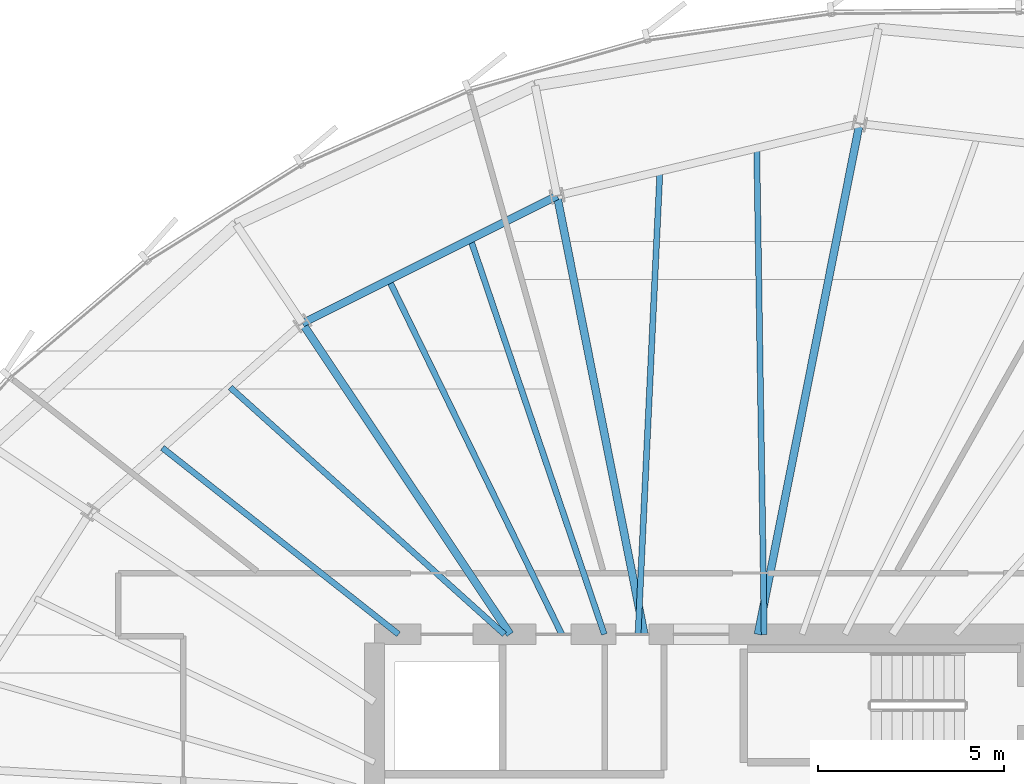
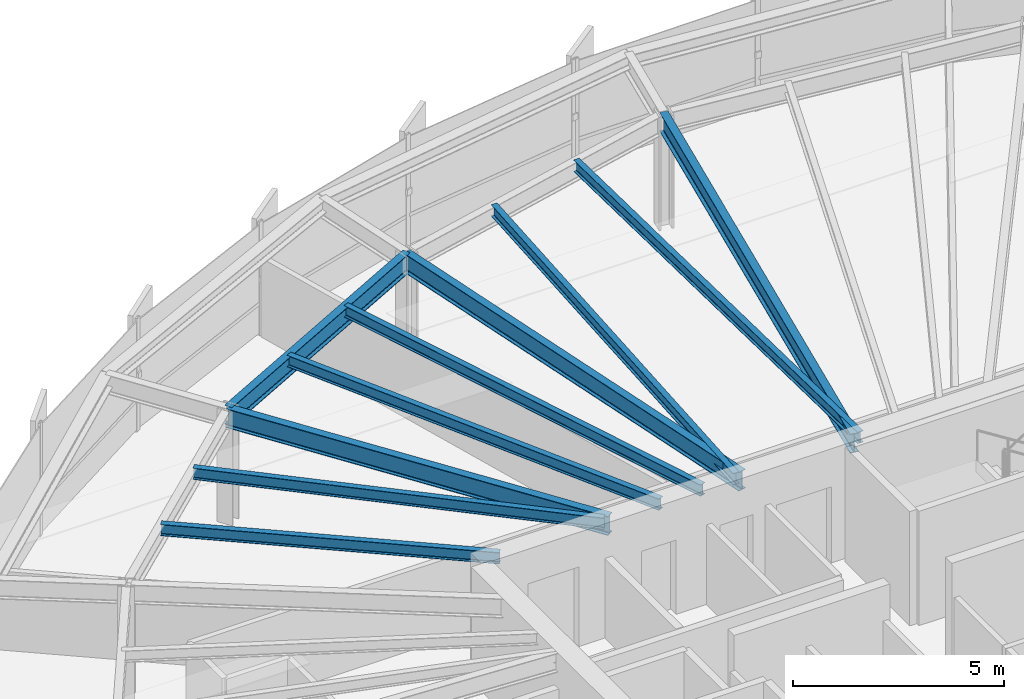
# One storey, part 20 of 35: 10 beams.
"""IFC4 building model written with IfcOpenShell, lengths in metres."""

from ifc_helpers import new_model, si_unit, direction, frame, origin, origin_2d, place, context, subcontext, project, spatial, i_section, extrude, source, transform, mapped, material, material_profile, profile_set, type_object, element, save


model = new_model("IFC4")

# Units and contexts
model_context = context("Model", 3, precision=1e-05, world=origin(), true_north=direction((0.0, 1.0)))
body_context = subcontext(model_context, "Body", "Model", "MODEL_VIEW")
ifc_project = project(units=[si_unit("LENGTHUNIT", "METRE"), si_unit("AREAUNIT", "SQUARE_METRE"), si_unit("VOLUMEUNIT", "CUBIC_METRE"), si_unit("PLANEANGLEUNIT", "RADIAN"), si_unit("MASSUNIT", "GRAM", prefix="KILO"), si_unit("THERMODYNAMICTEMPERATUREUNIT", "KELVIN")], contexts=[model_context])

# Site, building, storey
site_placement = place(None, origin())
site = spatial("IfcSite", under=ifc_project, at=site_placement, CompositionType="ELEMENT")
building_placement = place(site_placement, origin())
building = spatial("IfcBuilding", under=site, at=building_placement, Name="Kethvar Cultural Tower", CompositionType="ELEMENT")
storey_placement = place(building_placement, frame((0.0, 0.0, 146.550048828125)))
storey = spatial("IfcBuildingStorey", under=building, at=storey_placement, Name="L37", CompositionType="ELEMENT", Elevation=146.550048828125)

# Beams
ifc_material = material(Name="Steel S355J2", Category="steel")
ifc_material_profile_1 = material_profile(ifc_material, i_section(OverallWidth=0.2099609375, OverallDepth=0.550048828125, WebThickness=0.010986328125, FlangeThickness=0.01708984375, FilletRadius=0.02392578125, at=origin_2d()), Name="Steel S355J2 — IPE550")
ifc_profile_set_1 = profile_set([ifc_material_profile_1], Name="Steel S355J2 — IPE550")
beam_type_1 = type_object("IfcBeamType", Name="BM-IPE550", PredefinedType="BEAM", material=ifc_profile_set_1)
shared_shape_1 = source(origin(), body_context, "Body", "SweptSolid", [
    extrude(i_section(OverallWidth=0.2099609375, OverallDepth=0.550048828125, WebThickness=0.010986328125, FlangeThickness=0.01708984375, FilletRadius=0.02392578125, at=origin_2d()), origin(), (0.0, 0.0, 1.0), 14.02880859375),
])
beam_1_placement = place(storey_placement, frame((48.33154296875, 35.5, 3.02294921875), z_axis=(0.195101986683, 0.980782960085, 0.0), x_axis=(-0.980782960085, 0.195101986683, 0.0)))
element("IfcBeam", 1, at=beam_1_placement, inside=storey, type_object=beam_type_1, Name="L37 Primary Radial Beam RB-04", PredefinedType="BEAM", context=body_context, shape_type="MappedRepresentation", body=[
    mapped(shared_shape_1, transform((0.0, 0.0, 0.0), scale=1.0)),
])
shared_shape_2 = source(origin(), body_context, "Body", "SweptSolid", [
    extrude(i_section(OverallWidth=0.2099609375, OverallDepth=0.550048828125, WebThickness=0.010986328125, FlangeThickness=0.01708984375, FilletRadius=0.02392578125, at=origin_2d()), origin(), (0.0, 0.0, 1.0), 12.042724609375),
])
beam_2_placement = place(storey_placement, frame((45.268310546875, 35.5, 3.02294921875), z_axis=(-0.195086784047, 0.980785984142, 0.0), x_axis=(-0.980785984142, -0.195086784047, 0.0)))
element("IfcBeam", 2, at=beam_2_placement, inside=storey, type_object=beam_type_1, Name="L37 Primary Radial Beam RB-05", PredefinedType="BEAM", context=body_context, shape_type="MappedRepresentation", body=[
    mapped(shared_shape_2, transform((0.0, 0.0, 0.0), scale=1.0)),
])
shared_shape_3 = source(origin(), body_context, "Body", "SweptSolid", [
    extrude(i_section(OverallWidth=0.2099609375, OverallDepth=0.550048828125, WebThickness=0.010986328125, FlangeThickness=0.01708984375, FilletRadius=0.02392578125, at=origin_2d()), origin(), (0.0, 0.0, 1.0), 10.0751953125),
])
beam_3_placement = place(storey_placement, frame((41.655029296875, 35.5, 3.02294921875), z_axis=(-0.555566654614, 0.831472003305, 0.0), x_axis=(-0.831472003305, -0.555566654614, 0.0)))
element("IfcBeam", 3, at=beam_3_placement, inside=storey, type_object=beam_type_1, Name="L37 Primary Radial Beam RB-06", PredefinedType="BEAM", context=body_context, shape_type="MappedRepresentation", body=[
    mapped(shared_shape_3, transform((0.0, 0.0, 0.0), scale=1.0)),
])
ifc_material_profile_2 = material_profile(ifc_material, i_section(OverallWidth=0.159912109375, OverallDepth=0.330078125, WebThickness=0.007568359375, FlangeThickness=0.011474609375, FilletRadius=0.01806640625, at=origin_2d()), Name="Steel S355J2 — IPE330")
ifc_profile_set_2 = profile_set([ifc_material_profile_2], Name="Steel S355J2 — IPE330")
beam_type_2 = type_object("IfcBeamType", Name="BM-J330", PredefinedType="JOIST", material=ifc_profile_set_2)
shared_shape_4 = source(origin(), body_context, "Body", "SweptSolid", [
    extrude(i_section(OverallWidth=0.159912109375, OverallDepth=0.330078125, WebThickness=0.007568359375, FlangeThickness=0.011474609375, FilletRadius=0.01806640625, at=origin_2d()), origin(), (0.0, 0.0, 1.0), 13.098388671875),
])
beam_4_placement = place(storey_placement, frame((48.5, 35.5, 3.133056640625), z_axis=(-0.015451599057, 0.999880616917, 0.0), x_axis=(-0.999880616917, -0.015451599057, 0.0)))
element("IfcBeam", 4, at=beam_4_placement, inside=storey, type_object=beam_type_2, Name="L37 Composite Floor Joist J-04A", PredefinedType="JOIST", context=body_context, shape_type="MappedRepresentation", body=[
    mapped(shared_shape_4, transform((0.0, 0.0, 0.0), scale=1.0)),
])
shared_shape_5 = source(origin(), body_context, "Body", "SweptSolid", [
    extrude(i_section(OverallWidth=0.159912109375, OverallDepth=0.330078125, WebThickness=0.007568359375, FlangeThickness=0.011474609375, FilletRadius=0.01806640625, at=origin_2d()), origin(), (0.0, 0.0, 1.0), 12.487548828125),
])
beam_5_placement = place(storey_placement, frame((45.10009765625, 35.5, 3.133056640625), z_axis=(0.047214958818, 0.998884751943, 0.0), x_axis=(-0.998884751943, 0.047214958818, 0.0)))
element("IfcBeam", 5, at=beam_5_placement, inside=storey, type_object=beam_type_2, Name="L37 Composite Floor Joist J-04B", PredefinedType="JOIST", context=body_context, shape_type="MappedRepresentation", body=[
    mapped(shared_shape_5, transform((0.0, 0.0, 0.0), scale=1.0)),
])
shared_shape_6 = source(origin(), body_context, "Body", "SweptSolid", [
    extrude(i_section(OverallWidth=0.2099609375, OverallDepth=0.550048828125, WebThickness=0.010986328125, FlangeThickness=0.01708984375, FilletRadius=0.02392578125, at=origin_2d()), origin(), (0.0, 0.0, 1.0), 7.672607421875),
])
beam_6_placement = place(storey_placement, frame((42.9189453125, 47.311279296875, 3.02294921875), z_axis=(-0.894248932057, -0.447569935892, 0.0), x_axis=(0.447569935892, -0.894248932057, 0.0)))
element("IfcBeam", 6, at=beam_6_placement, inside=storey, type_object=beam_type_1, Name="L37 Column Ring Tie Beam CR-05", PredefinedType="BEAM", context=body_context, shape_type="MappedRepresentation", body=[
    mapped(shared_shape_6, transform((0.0, 0.0, 0.0), scale=1.0)),
])
shared_shape_7 = source(origin(), body_context, "Body", "SweptSolid", [
    extrude(i_section(OverallWidth=0.159912109375, OverallDepth=0.330078125, WebThickness=0.007568359375, FlangeThickness=0.011474609375, FilletRadius=0.01806640625, at=origin_2d()), origin(), (0.0, 0.0, 1.0), 11.23779296875),
])
beam_7_placement = place(storey_placement, frame((44.191650390625, 35.5, 3.133056640625), z_axis=(-0.32083186626, 0.94713616423, 0.0), x_axis=(-0.94713616423, -0.32083186626, 0.0)))
element("IfcBeam", 7, at=beam_7_placement, inside=storey, type_object=beam_type_2, Name="L37 Composite Floor Joist J-05A", PredefinedType="JOIST", context=body_context, shape_type="MappedRepresentation", body=[
    mapped(shared_shape_7, transform((0.0, 0.0, 0.0), scale=1.0)),
])
shared_shape_8 = source(origin(), body_context, "Body", "SweptSolid", [
    extrude(i_section(OverallWidth=0.159912109375, OverallDepth=0.330078125, WebThickness=0.007568359375, FlangeThickness=0.011474609375, FilletRadius=0.01806640625, at=origin_2d()), origin(), (0.0, 0.0, 1.0), 10.619384765625),
])
beam_8_placement = place(storey_placement, frame((43.044921875, 35.5, 3.133056640625), z_axis=(-0.438308125028, 0.898824781331, 0.0), x_axis=(-0.898824781331, -0.438308125028, 0.0)))
element("IfcBeam", 8, at=beam_8_placement, inside=storey, type_object=beam_type_2, Name="L37 Composite Floor Joist J-05B", PredefinedType="JOIST", context=body_context, shape_type="MappedRepresentation", body=[
    mapped(shared_shape_8, transform((0.0, 0.0, 0.0), scale=1.0)),
])
shared_shape_9 = source(origin(), body_context, "Body", "SweptSolid", [
    extrude(i_section(OverallWidth=0.159912109375, OverallDepth=0.330078125, WebThickness=0.007568359375, FlangeThickness=0.011474609375, FilletRadius=0.01806640625, at=origin_2d()), origin(), (0.0, 0.0, 1.0), 9.93701171875),
])
beam_9_placement = place(storey_placement, frame((41.5, 35.5, 3.133056640625), z_axis=(-0.743138974967, 0.669137103952, 0.0), x_axis=(-0.669137103952, -0.743138974967, 0.0)))
element("IfcBeam", 9, at=beam_9_placement, inside=storey, type_object=beam_type_2, Name="L37 Composite Floor Joist J-06A", PredefinedType="JOIST", context=body_context, shape_type="MappedRepresentation", body=[
    mapped(shared_shape_9, transform((0.0, 0.0, 0.0), scale=1.0)),
])
shared_shape_10 = source(origin(), body_context, "Body", "SweptSolid", [
    extrude(i_section(OverallWidth=0.159912109375, OverallDepth=0.330078125, WebThickness=0.007568359375, FlangeThickness=0.011474609375, FilletRadius=0.01806640625, at=origin_2d()), origin(), (0.0, 0.0, 1.0), 8.105712890625),
])
beam_10_placement = place(storey_placement, frame((38.64990234375, 35.5, 3.133056640625), z_axis=(-0.784895872164, 0.619627686486, 0.0), x_axis=(-0.619627686486, -0.784895872164, 0.0)))
element("IfcBeam", 10, at=beam_10_placement, inside=storey, type_object=beam_type_2, Name="L37 Composite Floor Joist J-06B", PredefinedType="JOIST", context=body_context, shape_type="MappedRepresentation", body=[
    mapped(shared_shape_10, transform((0.0, 0.0, 0.0), scale=1.0)),
])

save(model, "model.ifc")
